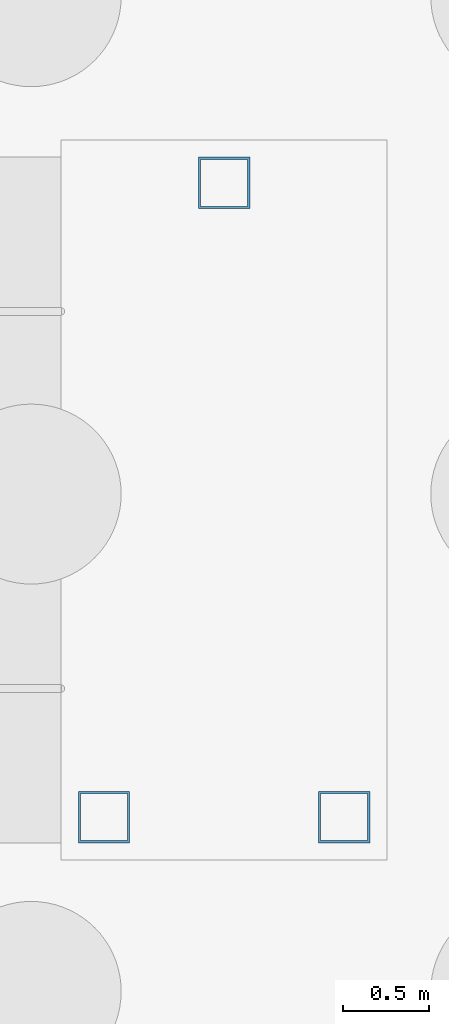
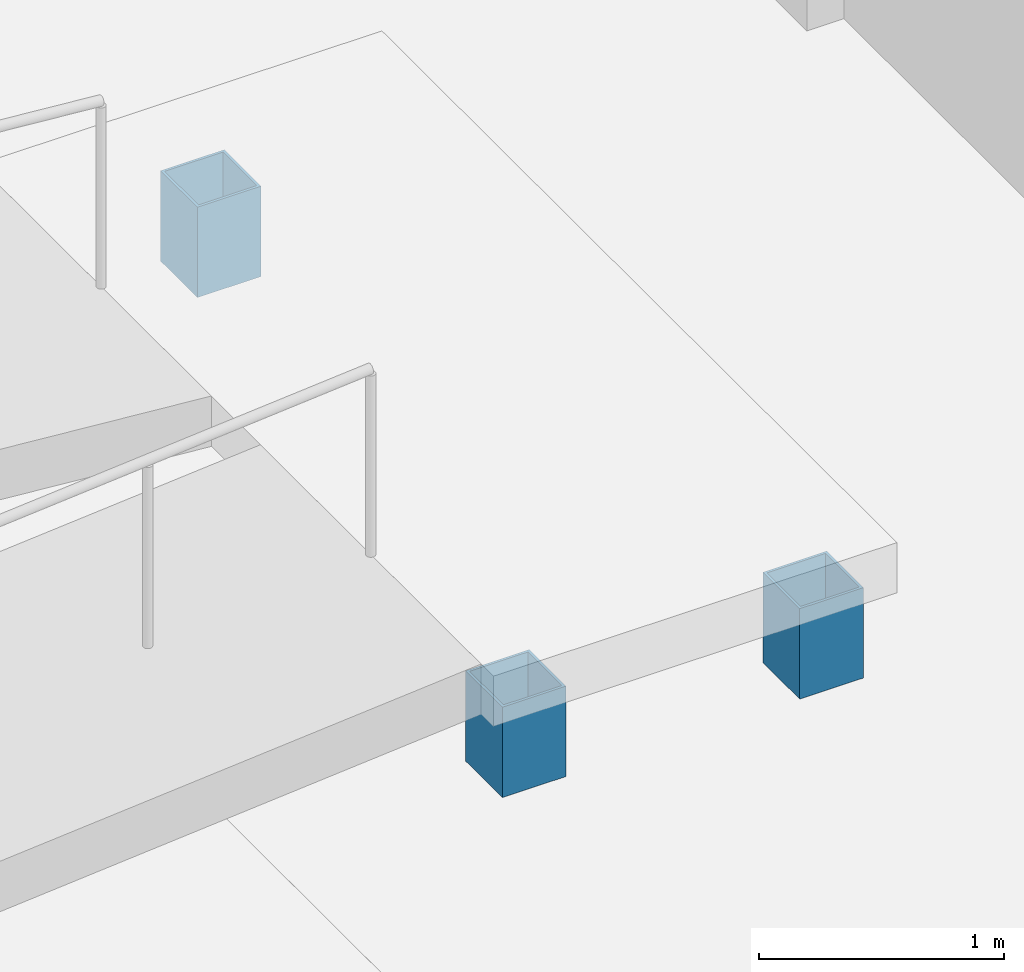
# One storey, part 31 of 56: 3 columns.
"""IFC4 building model written with IfcOpenShell, lengths in metres."""

import ifcopenshell
import ifcopenshell.guid

model = None  # the IFC model being written
_history = None  # IfcOwnerHistory: only IFC2X3 demands one
_inside = {}  # id of a spatial element -> (the spatial element, [elements in it])
_under = {}  # id of a project, library or spatial element -> (it, [spatial elements below it])
_declared = {}  # id of a project -> (the project, [libraries it declares])
_typed = {}  # id of a type object -> (the type object, [elements of that type])
_made_of = {}  # id of a material, layer set ... -> (it, [elements and type objects made of it])


def new_model(schema):
    """Start an empty IFC model of exactly this schema.

    Asked for "IFC4X3", IfcOpenShell would pick the latest addendum, in which some entities
    have other attributes; the version numbers below select the first issue.
    IFC2X3 requires an IfcOwnerHistory on every rooted entity: one is made here for all.
    """
    global model, _history
    if schema == "IFC4X3":
        model = ifcopenshell.file(schema_version=(4, 3, 0, 0))
    else:
        model = ifcopenshell.file(schema=schema)
    _inside.clear()
    _under.clear()
    _declared.clear()
    _typed.clear()
    _made_of.clear()
    _history = None
    if model.schema == "IFC2X3":
        org = make("IfcOrganization", Name="unknown")
        user = make(
            "IfcPersonAndOrganization",
            ThePerson=make("IfcPerson", FamilyName="unknown"),
            TheOrganization=org,
        )
        app = make(
            "IfcApplication",
            ApplicationDeveloper=org,
            Version="unknown",
            ApplicationFullName="unknown",
            ApplicationIdentifier="unknown",
        )
        _history = make(
            "IfcOwnerHistory",
            OwningUser=user,
            OwningApplication=app,
            ChangeAction="ADDED",
            CreationDate=0,
        )
    return model


def make(cls, **values):
    """One entity of the class cls with the attributes given. An attribute that is None is left unset."""
    return model.create_entity(
        cls, **{name: value for name, value in values.items() if value is not None}
    )


def rooted(cls, **values):
    """An entity with a GlobalId (a new one), such as an element, a storey or a relation."""
    return make(cls, GlobalId=ifcopenshell.guid.new(), OwnerHistory=_history, **values)


def si_unit(unit_type, name, prefix=None):
    """IfcSIUnit, for example si_unit("LENGTHUNIT", "METRE", prefix="MILLI")."""
    return make("IfcSIUnit", UnitType=unit_type, Prefix=prefix, Name=name)


def assignment(units):
    """IfcUnitAssignment: the units of a project."""
    return None if units is None else make("IfcUnitAssignment", Units=units)


def point(xyz):
    """IfcCartesianPoint."""
    return None if xyz is None else make("IfcCartesianPoint", Coordinates=xyz)


def direction(xyz):
    """IfcDirection."""
    return None if xyz is None else make("IfcDirection", DirectionRatios=xyz)


def frame(location, z_axis=None, x_axis=None):
    """IfcAxis2Placement3D, a coordinate frame: its origin and axes. An axis left out is left unset."""
    return make(
        "IfcAxis2Placement3D",
        Location=point(location),
        Axis=direction(z_axis),
        RefDirection=direction(x_axis),
    )


def frame_2d(location, x_axis=None):
    """IfcAxis2Placement2D, a coordinate frame in the plane: its origin and x axis."""
    return make(
        "IfcAxis2Placement2D", Location=point(location), RefDirection=direction(x_axis)
    )


def origin():
    """The frame at (0, 0, 0) with its axes left unset."""
    return frame((0.0, 0.0, 0.0))


def origin_2d():
    """The frame at (0, 0) in the plane with its x axis left unset."""
    return frame_2d((0.0, 0.0))


def place(relative_to, where):
    """IfcLocalPlacement: puts the frame where relative to a parent placement (None: the world)."""
    return make(
        "IfcLocalPlacement", PlacementRelTo=relative_to, RelativePlacement=where
    )


def context(
    kind, dimensions, precision=None, world=None, true_north=None, identifier=None
):
    """IfcGeometricRepresentationContext, for example the 3D "Model" context."""
    return make(
        "IfcGeometricRepresentationContext",
        ContextIdentifier=identifier,
        ContextType=kind,
        CoordinateSpaceDimension=dimensions,
        Precision=precision,
        WorldCoordinateSystem=world,
        TrueNorth=true_north,
    )


def subcontext(parent, identifier, kind, view, scale=None):
    """IfcGeometricRepresentationSubContext, for example "Body" below "Model"."""
    return make(
        "IfcGeometricRepresentationSubContext",
        ContextIdentifier=identifier,
        ContextType=kind,
        ParentContext=parent,
        TargetScale=scale,
        TargetView=view,
    )


def project(units=None, contexts=None):
    """IfcProject with its units and contexts."""
    return rooted(
        "IfcProject",
        Name="project",
        RepresentationContexts=contexts,
        UnitsInContext=assignment(units),
    )


def spatial(cls, under=None, at=None, **own):
    """A site, building, storey or space (cls), placed at a placement, below another one or the project."""
    s = rooted(cls, ObjectPlacement=at, **own)
    if under is not None:
        _under.setdefault(under.id(), (under, []))[1].append(s)
    return s


def profile(cls, at=None, kind="AREA", **sizes):
    """A parametric profile (cls). Its sizes go by their IFC names, for example OverallWidth=200.0."""
    return make(cls, ProfileType=kind, Position=at, **sizes)


def hollow_rectangle(**sizes):
    """IfcRectangleHollowProfileDef."""
    return profile("IfcRectangleHollowProfileDef", **sizes)


def extrude(swept, where, along, depth):
    """IfcExtrudedAreaSolid: the profile swept, set in the frame where, extruded along a direction by depth."""
    return make(
        "IfcExtrudedAreaSolid",
        SweptArea=swept,
        Position=where,
        ExtrudedDirection=direction(along),
        Depth=depth,
    )


def shape(context_of_items, identifier, shape_type, items):
    """IfcShapeRepresentation: the items that make up one representation, for example the "Body"."""
    return make(
        "IfcShapeRepresentation",
        ContextOfItems=context_of_items,
        RepresentationIdentifier=identifier,
        RepresentationType=shape_type,
        Items=items,
    )


def material(Name=None, Category=None):
    """IfcMaterial."""
    return make("IfcMaterial", Name=Name, Category=Category)


def material_profile(
    of_material, cross_section, Name=None, Category=None, Priority=None
):
    """IfcMaterialProfile: a cross section and its material."""
    return make(
        "IfcMaterialProfile",
        Name=Name,
        Material=of_material,
        Profile=cross_section,
        Priority=Priority,
        Category=Category,
    )


def profile_set(profiles, Name=None, composite=None):
    """IfcMaterialProfileSet."""
    return make(
        "IfcMaterialProfileSet",
        Name=Name,
        MaterialProfiles=profiles,
        CompositeProfile=composite,
    )


def made_of(thing, what):
    """Note that an element or type object is made of a material, layer set ...; save() writes the relation."""
    if what is not None:
        _made_of.setdefault(what.id(), (what, []))[1].append(thing)
    return thing


def type_object(cls, material=None, **own):
    """A type object (cls), such as IfcWallType, which elements share."""
    return made_of(rooted(cls, **own), material)


def element(
    cls,
    number,
    at=None,
    inside=None,
    cuts=None,
    type_object=None,
    material=None,
    context=None,
    identifier="Body",
    shape_type=None,
    held_by="IfcProductDefinitionShape",
    body=None,
    shapes=None,
    **own,
):
    """One element of the class cls, such as IfcWall. Its Tag is "e" and its number.

    at: its placement. inside: the storey or other place that contains it. cuts: it is an
    opening in that element (IfcRelVoidsElement). A single representation is given by context,
    identifier, shape_type and body (its items); several are given by shapes. held_by: the class
    of the entity that holds the representations. save() writes the other relations.
    """
    e = rooted(cls, Tag="e%d" % number, ObjectPlacement=at, **own)
    if body is not None:
        shapes = [shape(context, identifier, shape_type, body)]
    if shapes is not None:
        e.Representation = make(held_by, Representations=shapes)
    if inside is not None:
        _inside.setdefault(inside.id(), (inside, []))[1].append(e)
    if cuts is not None:
        rooted(
            "IfcRelVoidsElement", RelatingBuildingElement=cuts, RelatedOpeningElement=e
        )
    if type_object is not None:
        _typed.setdefault(type_object.id(), (type_object, []))[1].append(e)
    return made_of(e, material)


def aggregate(whole, parts):
    """IfcRelAggregates: a whole, such as a stair, and the parts it consists of."""
    return rooted("IfcRelAggregates", RelatingObject=whole, RelatedObjects=parts)


def save(model, path):
    """Write the relations noted so far, then the file.

    IfcRelAggregates (storeys below a building ...), IfcRelContainedInSpatialStructure (elements
    in a storey), IfcRelDefinesByType, IfcRelAssociatesMaterial and IfcRelDeclares: one each for
    every whole, place, type object, material and project.
    """
    for whole, parts in _under.values():
        aggregate(whole, parts)
    for where, things in _inside.values():
        rooted(
            "IfcRelContainedInSpatialStructure",
            RelatedElements=things,
            RelatingStructure=where,
        )
    for kind, things in _typed.values():
        rooted("IfcRelDefinesByType", RelatedObjects=things, RelatingType=kind)
    for what, things in _made_of.values():
        rooted("IfcRelAssociatesMaterial", RelatedObjects=things, RelatingMaterial=what)
    for by, libraries in _declared.values():
        rooted("IfcRelDeclares", RelatingContext=by, RelatedDefinitions=libraries)
    model.write(path)


model = new_model("IFC4")

# Units and contexts
model_context = context("Model", 3, precision=1e-05, world=origin(), true_north=direction((0.0, 1.0)))
body_context = subcontext(model_context, "Body", "Model", "MODEL_VIEW")
ifc_project = project(units=[si_unit("LENGTHUNIT", "METRE"), si_unit("AREAUNIT", "SQUARE_METRE"), si_unit("VOLUMEUNIT", "CUBIC_METRE"), si_unit("PLANEANGLEUNIT", "RADIAN"), si_unit("MASSUNIT", "GRAM", prefix="KILO")], contexts=[model_context])

# Site, building, storey
site_placement = place(None, origin())
site = spatial("IfcSite", under=ifc_project, at=site_placement, CompositionType="ELEMENT")
building_placement = place(site_placement, origin())
building = spatial("IfcBuilding", under=site, at=building_placement, Name="Glasvene Arena", CompositionType="ELEMENT")
storey_placement = place(building_placement, frame((0.0, 0.0, -5.39990234375)))
storey = spatial("IfcBuildingStorey", under=building, at=storey_placement, Name="B1", CompositionType="ELEMENT", Elevation=-5.39990234375)

# Columns
ifc_material = material(Name="Steel S355J2", Category="steel")
ifc_material_profile = material_profile(ifc_material, hollow_rectangle(XDim=0.300048828125, YDim=0.300048828125, WallThickness=0.012451171875, at=origin_2d()), Name="SHS 300x300x12.5")
ifc_profile_set = profile_set([ifc_material_profile], Name="Steel S355J2")
column_type = type_object("IfcColumnType", Name="COL-W-SHS300", PredefinedType="COLUMN", material=ifc_profile_set)
for number, where, z_axis, x_axis, name in (
    (1, (23.14990234375, 38.25, 0.0), (0.0, 0.0, 1.0), (1.0, 0.0, 0.0), "Accessible ramp landing pier RP-P3-1"),
    (2, (24.550048828125, 38.25, 0.0), (0.0, 0.0, 1.0), (1.0, 0.0, 0.0), "Accessible ramp landing pier RP-P3-2"),
    (3, (23.85009765625, 41.949951171875, 0.0), (0.0, 0.0, 1.0), (1.0, 0.0, 0.0), "Accessible ramp landing pier RP-P3-3"),
):
    element("IfcColumn", number, at=place(storey_placement, frame(where, z_axis=z_axis, x_axis=x_axis)), inside=storey, type_object=column_type, Name=name, PredefinedType="COLUMN", context=body_context, shape_type="SweptSolid", body=[
        extrude(hollow_rectangle(XDim=0.300048828125, YDim=0.300048828125, WallThickness=0.012451171875, at=origin_2d()), origin(), (0.0, 0.0, 1.0), 0.449951171875),
    ])

save(model, "model.ifc")
